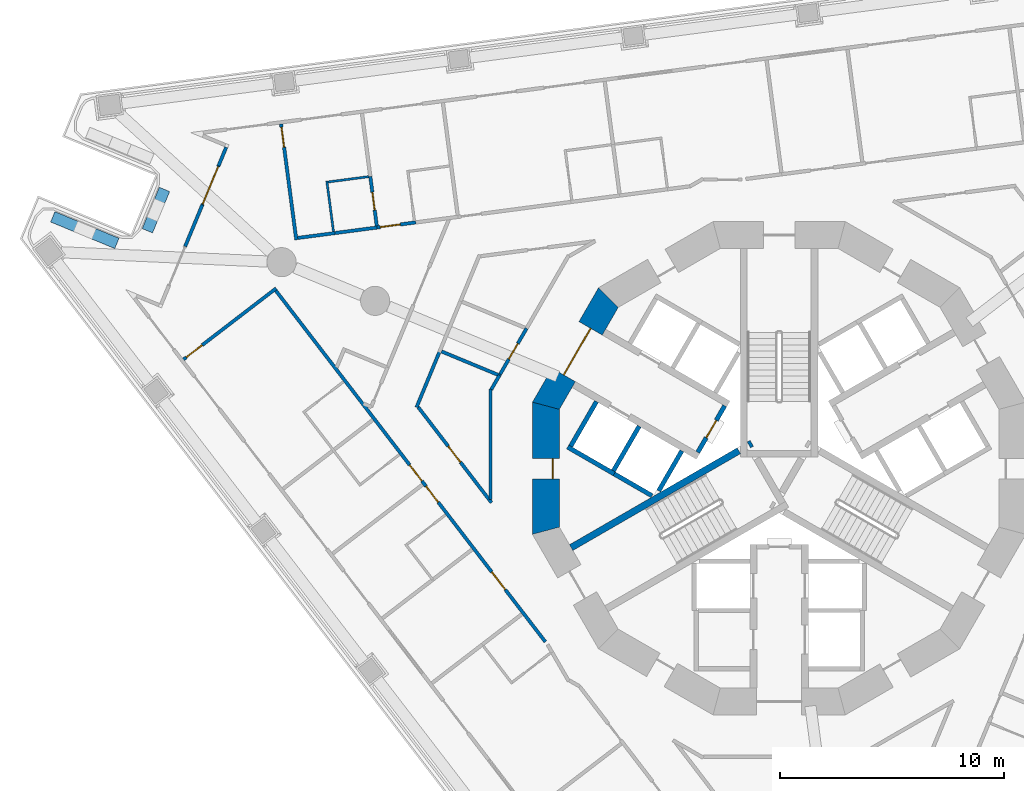
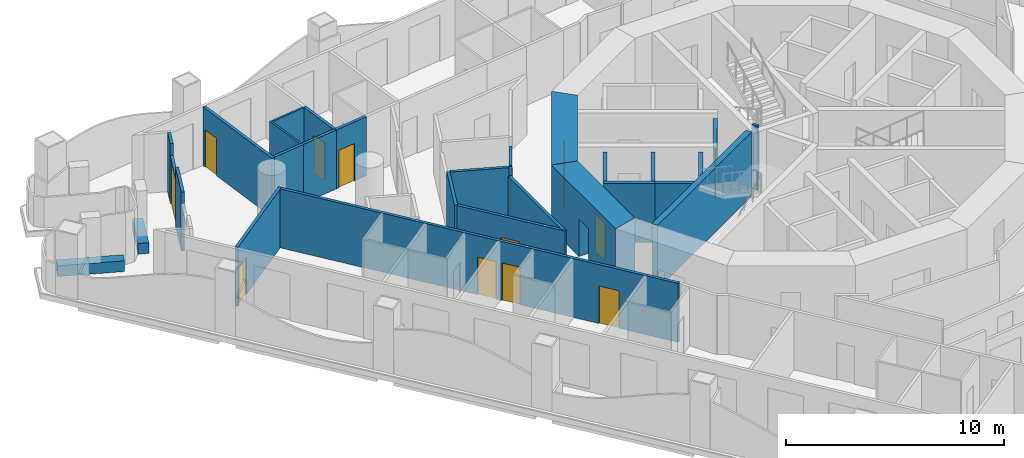
# One storey, part 6 of 19: 30 walls, 13 doors, 13 openings.
"""IFC4 building model written with IfcOpenShell, lengths in metres."""

from ifc_helpers import new_model, si_unit, direction, frame, frame_2d, origin, place, context, subcontext, project, spatial, polyline, rectangle, outline, extrude, material, layer, layer_set, type_object, element, fill, save


model = new_model("IFC4")

# Units and contexts
model_context = context("Model", 3, precision=1e-05, world=origin(), true_north=direction((0.0, 1.0)))
body_context = subcontext(model_context, "Body", "Model", "MODEL_VIEW")
ifc_project = project(units=[si_unit("LENGTHUNIT", "METRE"), si_unit("AREAUNIT", "SQUARE_METRE"), si_unit("VOLUMEUNIT", "CUBIC_METRE"), si_unit("PLANEANGLEUNIT", "RADIAN"), si_unit("MASSUNIT", "GRAM", prefix="KILO")], contexts=[model_context])

# Site, building, storey
site_placement = place(None, origin())
site = spatial("IfcSite", under=ifc_project, at=site_placement, CompositionType="ELEMENT")
building_placement = place(site_placement, origin())
building = spatial("IfcBuilding", under=site, at=building_placement, Name="Trine Commons Tower", CompositionType="ELEMENT")
storey_placement = place(building_placement, frame((0.0, 0.0, 61.199951171875)))
storey = spatial("IfcBuildingStorey", under=building, at=storey_placement, Name="L14", CompositionType="ELEMENT", Elevation=61.199951171875)

# Wall
ifc_material_1 = material(Name="Aluminium-framed insulated wall panel", Category="aluminium")
ifc_layer_1 = layer(ifc_material_1, 0.14990234375)
ifc_layer_set_1 = layer_set([ifc_layer_1], Name="Aluminium-framed insulated wall panel")
wall_type_1 = type_object("IfcWallType", Name="Glazed frame wall 150, EI 60", PredefinedType="SOLIDWALL", material=ifc_layer_set_1)
wall_1_placement = place(storey_placement, frame((53.482177734375, 72.401611328125, 0.0), z_axis=(0.0, 0.0, 1.0), x_axis=(0.382664423091, 0.923887406181, 0.0)))
element("IfcWall", 1, at=wall_1_placement, inside=storey, type_object=wall_type_1, Name="Glazed frame wall P1.3", PredefinedType="SOLIDWALL", context=body_context, shape_type="SweptSolid", body=[
    extrude(outline(polyline([(0.0, -0.074951171875), (2.0, -0.074951171875), (2.0, 0.074951171875), (0.0, 0.074951171875), (0.0, -0.074951171875)])), origin(), (0.0, 0.0, 1.0), 3.300048828125),
])

# Wall, opening, door
wall_2_placement = place(storey_placement, frame((54.24755859375, 74.24951171875, 0.0), z_axis=(0.0, 0.0, 1.0), x_axis=(0.382661988648, 0.923888414498, 0.0)))
wall_2 = element("IfcWall", 2, at=wall_2_placement, inside=storey, type_object=wall_type_1, Name="Glazed frame wall P1.4", PredefinedType="SOLIDWALL", context=body_context, shape_type="SweptSolid", body=[
    extrude(outline(polyline([(0.0, -0.074951171875), (1.89990234375, -0.074951171875), (1.89990234375, 0.074951171875), (0.0, 0.074951171875), (0.0, -0.074951171875)])), origin(), (0.0, 0.0, 1.0), 2.650146484375),
])
opening_1_placement = place(wall_2_placement, frame((0.050048828125, 0.0, 0.0)))
opening_1 = element("IfcOpeningElement", 3, at=opening_1_placement, cuts=wall_2, Name="Opening BD-2P1-02", PredefinedType="OPENING", context=body_context, shape_type="SweptSolid", body=[
    extrude(rectangle(XDim=1.800048828125, YDim=2.60009765625, at=frame_2d((0.89990234375, 1.300048828125))), frame((0.0, 0.0849609375, 0.0), z_axis=(0.0, -1.0, 0.0), x_axis=(1.0, 0.0, 0.0)), (0.0, 0.0, 1.0), 0.169921875),
])
ifc_material_2 = material(Name="Anodised aluminium frame with double glazing", Category="aluminium")
door_type_1 = type_object("IfcDoorType", Name="Sliding loggia door 1800x2600", OperationType="SLIDING_TO_LEFT", PredefinedType="DOOR", material=ifc_material_2)
door_1_placement = place(opening_1_placement, origin())
door_1 = element("IfcDoor", 4, at=door_1_placement, inside=storey, type_object=door_type_1, Name="Loggia door P1 2", OperationType="SLIDING_TO_LEFT", OverallHeight=2.60009765625, OverallWidth=1.800048828125, PredefinedType="DOOR", context=body_context, shape_type="SweptSolid", body=[
    extrude(rectangle(XDim=1.800048828125, YDim=2.60009765625, at=frame_2d((0.89990234375, 1.300048828125))), frame((0.0, 0.02490234375, 0.0), z_axis=(0.0, -1.0, 0.0), x_axis=(1.0, 0.0, 0.0)), (0.0, 0.0, 1.0), 0.050048828125),
])
fill(opening_1, door_1)

# Wall
wall_3_placement = place(storey_placement, frame((54.974609375, 76.0048828125, 0.0), z_axis=(0.0, 0.0, 1.0), x_axis=(0.382811769845, 0.923826362943, 0.0)))
element("IfcWall", 5, at=wall_3_placement, inside=storey, type_object=wall_type_1, Name="Glazed frame wall P1.5", PredefinedType="SOLIDWALL", context=body_context, shape_type="SweptSolid", body=[
    extrude(outline(polyline([(0.889892578125, 0.074951171875), (0.0, 0.074951171875), (0.0, -0.074951171875), (0.889892578125, -0.074951171875), (0.889892578125, 0.074951171875)])), origin(), (0.0, 0.0, 1.0), 3.300048828125),
])

# Wall, opening, door
ifc_material_3 = material(Name="Fire-rated gypsum shaft wall system")
ifc_layer_2 = layer(ifc_material_3, 0.199951171875)
ifc_layer_set_2 = layer_set([ifc_layer_2], Name="Fire-rated gypsum shaft wall system")
wall_type_2 = type_object("IfcWallType", Name="Lobby end wall 200 mm, EI 120", PredefinedType="PARTITIONING", material=ifc_layer_set_2)
wall_4_placement = place(storey_placement, frame((77.569091796875, 65.2890625, 0.0), z_axis=(0.0, 0.0, 1.0), x_axis=(-0.50012165622, -0.865955154139, 0.0)))
wall_4 = element("IfcWall", 6, at=wall_4_placement, inside=storey, type_object=wall_type_2, Name="Lobby end wall L14", PredefinedType="PARTITIONING", context=body_context, shape_type="SweptSolid", body=[
    extrude(rectangle(XDim=2.39990234375, YDim=0.199951171875, at=frame_2d((1.199951171875, 0.0))), origin(), (0.0, 0.0, 1.0), 3.300048828125),
])
opening_2_placement = place(wall_4_placement, frame((0.749755859375, 0.0, 0.0)))
opening_2 = element("IfcOpeningElement", 7, at=opening_2_placement, cuts=wall_4, Name="Opening K05.07", PredefinedType="OPENING", context=body_context, shape_type="SweptSolid", body=[
    extrude(rectangle(XDim=0.89990234375, YDim=2.10009765625, at=frame_2d((0.449951171875, 1.050048828125))), frame((0.0, 0.10986328125, 0.0), z_axis=(0.0, -1.0, 0.0), x_axis=(1.0, 0.0, 0.0)), (0.0, 0.0, 1.0), 0.219970703125),
])
ifc_material_4 = material(Name="Steel door leaf, fire-rated", Category="steel")
door_type_2 = type_object("IfcDoorType", Name="Riser access door, single leaf 900 x 2100, FD60", OperationType="SINGLE_SWING_LEFT", PredefinedType="DOOR", material=ifc_material_4)
door_2_placement = place(opening_2_placement, frame((0.89990234375, 0.0, 0.0), z_axis=(0.0, 0.0, 1.0), x_axis=(-1.0, 0.0, 0.0)))
door_2 = element("IfcDoor", 8, at=door_2_placement, inside=storey, type_object=door_type_2, Name="Riser door, Mechanical riser L14", OperationType="SINGLE_SWING_RIGHT", OverallHeight=2.10009765625, OverallWidth=0.89990234375, PredefinedType="DOOR", context=body_context, shape_type="SweptSolid", body=[
    extrude(rectangle(XDim=0.89990234375, YDim=2.10009765625, at=frame_2d((0.449951171875, 1.050048828125))), frame((0.0, 0.02490234375, 0.0), z_axis=(0.0, -1.0, 0.0), x_axis=(1.0, 0.0, 0.0)), (0.0, 0.0, 1.0), 0.050048828125),
])
fill(opening_2, door_2)

# Walls
ifc_material_5 = material(Name="Planter trough, precast concrete C40/50", Category="concrete")
ifc_layer_3 = layer(ifc_material_5, 0.5)
ifc_layer_set_3 = layer_set([ifc_layer_3], Name="Planter trough, precast concrete C40/50")
wall_type_3 = type_object("IfcWallType", Name="Planter trough 500x600", PredefinedType="PARAPET", material=ifc_layer_set_3)
wall_5_placement = place(storey_placement, frame((47.5732421875, 73.723388671875, 0.0), z_axis=(0.0, 0.0, 1.0), x_axis=(0.923883411188, -0.382674068277, 0.0)))
element("IfcWall", 9, at=wall_5_placement, inside=storey, type_object=wall_type_3, Name="Planter 1", PredefinedType="PARAPET", context=body_context, shape_type="SweptSolid", body=[
    extrude(rectangle(XDim=3.099853515625, YDim=0.5, at=frame_2d((1.5498046875, 0.0))), origin(), (0.0, 0.0, 1.0), 0.60009765625),
])
wall_6_placement = place(storey_placement, frame((51.796142578125, 73.10009765625, 0.0), z_axis=(0.0, 0.0, 1.0), x_axis=(0.382603377961, 0.923912688068, 0.0)))
element("IfcWall", 10, at=wall_6_placement, inside=storey, type_object=wall_type_3, Name="Planter 2", PredefinedType="PARAPET", context=body_context, shape_type="SweptSolid", body=[
    extrude(rectangle(XDim=1.999755859375, YDim=0.5, at=frame_2d((1.0, 0.0))), origin(), (0.0, 0.0, 1.0), 0.60009765625),
])

# Wall, opening, door
ifc_material_6 = material(Name="Concrete C80/95", Category="concrete")
ifc_layer_4 = layer(ifc_material_6, 1.199951171875)
ifc_layer_set_4 = layer_set([ifc_layer_4], Name="Concrete C80/95")
wall_type_4 = type_object("IfcWallType", Name="RC shear wall 1200 mm, C80/95", PredefinedType="SHEAR", material=ifc_layer_set_4)
wall_7_placement = place(storey_placement, frame((72.45849609375, 70.260986328125, 0.0), z_axis=(0.0, 0.0, 1.0), x_axis=(-0.499979111662, -0.866037463336, 0.0)))
wall_7 = element("IfcWall", 11, at=wall_7_placement, inside=storey, type_object=wall_type_4, Name="Core wall CWB-06 L14", PredefinedType="SHEAR", context=body_context, shape_type="SweptSolid", body=[
    extrude(outline(polyline([(0.0, -0.60009765625), (5.901123046875, -0.60009765625), (5.57958984375, 0.60009765625), (0.321533203125, 0.60009765625), (0.0, -0.60009765625)])), origin(), (0.0, 0.0, 1.0), 3.60009765625),
])
opening_3_placement = place(wall_7_placement, frame((1.75048828125, 0.0, 0.0)))
opening_3 = element("IfcOpeningElement", 12, at=opening_3_placement, cuts=wall_7, Name="Opening K05.06", PredefinedType="OPENING", context=body_context, shape_type="SweptSolid", body=[
    extrude(rectangle(XDim=2.39990234375, YDim=2.10009765625, at=frame_2d((1.199951171875, 1.050048828125))), frame((0.0, 0.60986328125, 0.0), z_axis=(0.0, -1.0, 0.0), x_axis=(1.0, 0.0, 0.0)), (0.0, 0.0, 1.0), 1.219970703125),
])
ifc_material_7 = material(Name="Steel door leaves, fire-rated", Category="steel")
door_type_3 = type_object("IfcDoorType", Name="Lobby door, double leaf 2400 x 2100, FD60", OperationType="DOUBLE_DOOR_SINGLE_SWING", PredefinedType="DOOR", material=ifc_material_7)
door_3_placement = place(opening_3_placement, origin())
door_3 = element("IfcDoor", 13, at=door_3_placement, inside=storey, type_object=door_type_3, Name="Lobby door, Passenger lift lobby B L14", OperationType="DOUBLE_DOOR_SINGLE_SWING", OverallHeight=2.10009765625, OverallWidth=2.39990234375, PredefinedType="DOOR", context=body_context, shape_type="SweptSolid", body=[
    extrude(rectangle(XDim=2.39990234375, YDim=2.10009765625, at=frame_2d((1.199951171875, 1.050048828125))), frame((0.0, 0.02490234375, 0.0), z_axis=(0.0, -1.0, 0.0), x_axis=(1.0, 0.0, 0.0)), (0.0, 0.0, 1.0), 0.050048828125),
])
fill(opening_3, door_3)

wall_8_placement = place(storey_placement, frame((69.58837890625, 65.450439453125, 0.0), z_axis=(0.0, 0.0, 1.0), x_axis=(0.0, -1.0, 0.0)))
wall_8 = element("IfcWall", 14, at=wall_8_placement, inside=storey, type_object=wall_type_4, Name="Core wall CWB-07 L14", PredefinedType="SHEAR", context=body_context, shape_type="SweptSolid", body=[
    extrude(outline(polyline([(0.0, -0.60009765625), (5.90087890625, -0.60009765625), (5.57958984375, 0.60009765625), (0.321533203125, 0.60009765625), (0.0, -0.60009765625)])), origin(), (0.0, 0.0, 1.0), 3.60009765625),
])
opening_4_placement = place(wall_8_placement, frame((2.525390625, 0.0, 0.0)))
opening_4 = element("IfcOpeningElement", 15, at=opening_4_placement, cuts=wall_8, Name="Opening K05.13", PredefinedType="OPENING", context=body_context, shape_type="SweptSolid", body=[
    extrude(rectangle(XDim=0.89990234375, YDim=2.10009765625, at=frame_2d((0.449951171875, 1.050048828125))), frame((0.0, 0.60986328125, 0.0), z_axis=(0.0, -1.0, 0.0), x_axis=(1.0, 0.0, 0.0)), (0.0, 0.0, 1.0), 1.219970703125),
])
door_type_4 = type_object("IfcDoorType", Name="Core room door, single leaf 900 x 2100, FD30S", OperationType="SINGLE_SWING_LEFT", PredefinedType="DOOR", material=ifc_material_4)
door_4_placement = place(opening_4_placement, origin())
door_4 = element("IfcDoor", 16, at=door_4_placement, inside=storey, type_object=door_type_4, Name="Door to Pantry L14", OperationType="SINGLE_SWING_RIGHT", OverallHeight=2.10009765625, OverallWidth=0.89990234375, PredefinedType="DOOR", context=body_context, shape_type="SweptSolid", body=[
    extrude(rectangle(XDim=0.89990234375, YDim=2.10009765625, at=frame_2d((0.449951171875, 1.050048828125))), frame((0.0, 0.3251953125, 0.0), z_axis=(0.0, -1.0, 0.0), x_axis=(1.0, 0.0, 0.0)), (0.0, 0.0, 1.0), 0.050048828125),
])
fill(opening_4, door_4)

# Walls
ifc_layer_5 = layer(ifc_material_6, 0.300048828125)
ifc_layer_set_5 = layer_set([ifc_layer_5], Name="Concrete C80/95")
wall_type_5 = type_object("IfcWallType", Name="RC shear wall 300 mm, C80/95", PredefinedType="SHEAR", material=ifc_layer_set_5)
wall_9_placement = place(storey_placement, frame((78.199951171875, 63.280029296875, 0.0), z_axis=(0.0, 0.0, 1.0), x_axis=(-0.865965399159, -0.500103916661, 0.0)))
element("IfcWall", 17, at=wall_9_placement, inside=storey, type_object=wall_type_5, Name="Core cross wall SWA-07 L14", PredefinedType="SHEAR", context=body_context, shape_type="SweptSolid", body=[
    extrude(rectangle(XDim=8.642333984375, YDim=0.300048828125, at=frame_2d((4.3212890625, 0.0))), origin(), (0.0, 0.0, 1.0), 3.60009765625),
])
wall_10_placement = place(storey_placement, frame((78.779052734375, 63.614013671875, 0.0), z_axis=(0.0, 0.0, 1.0), x_axis=(-0.867737973955, -0.497021939713, 0.0)))
element("IfcWall", 18, at=wall_10_placement, inside=storey, type_object=wall_type_5, Name="Core cross wall SWA-09 L14", PredefinedType="SHEAR", context=body_context, shape_type="SweptSolid", body=[
    extrude(rectangle(XDim=0.14892578125, YDim=0.300048828125, at=frame_2d((0.074462890625, 0.0))), origin(), (0.0, 0.0, 1.0), 3.60009765625),
])
ifc_layer_6 = layer(ifc_material_3, 0.199951171875)
ifc_layer_set_6 = layer_set([ifc_layer_6], Name="Fire-rated gypsum shaft wall system")
wall_type_6 = type_object("IfcWallType", Name="Shaft wall 200 mm, EI 120", PredefinedType="PARTITIONING", material=ifc_layer_set_6)
wall_11_placement = place(storey_placement, frame((71.844970703125, 65.47607421875, 0.0), z_axis=(0.0, 0.0, 1.0), x_axis=(-0.500136062276, -0.86594683394, 0.0)))
element("IfcWall", 19, at=wall_11_placement, inside=storey, type_object=wall_type_6, Name="Shaft wall L14", PredefinedType="PARTITIONING", context=body_context, shape_type="SweptSolid", body=[
    extrude(rectangle(XDim=2.299072265625, YDim=0.199951171875, at=frame_2d((1.1494140625, 0.0))), origin(), (0.0, 0.0, 1.0), 3.300048828125),
])
wall_12_placement = place(storey_placement, frame((72.637939453125, 62.248046875, 0.0), z_axis=(0.0, 0.0, 1.0), x_axis=(-0.866177122335, 0.499737123639, 0.0)))
element("IfcWall", 20, at=wall_12_placement, inside=storey, type_object=wall_type_6, Name="Shaft wall L14", PredefinedType="PARTITIONING", context=body_context, shape_type="SweptSolid", body=[
    extrude(rectangle(XDim=2.401123046875, YDim=0.199951171875, at=frame_2d((1.20068359375, 0.0))), origin(), (0.0, 0.0, 1.0), 3.300048828125),
])
wall_13_placement = place(storey_placement, frame((73.7509765625, 64.3759765625, 0.0), z_axis=(0.0, 0.0, 1.0), x_axis=(-0.500136062276, -0.86594683394, 0.0)))
element("IfcWall", 21, at=wall_13_placement, inside=storey, type_object=wall_type_6, Name="Shaft wall L14", PredefinedType="PARTITIONING", context=body_context, shape_type="SweptSolid", body=[
    extrude(rectangle(XDim=2.299072265625, YDim=0.199951171875, at=frame_2d((1.1494140625, 0.0))), origin(), (0.0, 0.0, 1.0), 3.300048828125),
])
wall_14_placement = place(storey_placement, frame((74.324951171875, 61.27294921875, 0.0), z_axis=(0.0, 0.0, 1.0), x_axis=(-0.865780634835, 0.500423712812, 0.0)))
element("IfcWall", 22, at=wall_14_placement, inside=storey, type_object=wall_type_6, Name="Shaft wall L14", PredefinedType="PARTITIONING", context=body_context, shape_type="SweptSolid", body=[
    extrude(rectangle(XDim=1.948486328125, YDim=0.199951171875, at=frame_2d((0.97412109375, 0.0))), origin(), (0.0, 0.0, 1.0), 3.300048828125),
])
wall_15_placement = place(storey_placement, frame((75.656005859375, 63.27587890625, 0.0), z_axis=(0.0, 0.0, 1.0), x_axis=(-0.500271688072, -0.86586848777, 0.0)))
element("IfcWall", 23, at=wall_15_placement, inside=storey, type_object=wall_type_6, Name="Shaft wall L14", PredefinedType="PARTITIONING", context=body_context, shape_type="SweptSolid", body=[
    extrude(rectangle(XDim=2.064697265625, YDim=0.199951171875, at=frame_2d((1.0322265625, 0.0))), origin(), (0.0, 0.0, 1.0), 3.300048828125),
])

# Wall, opening, door
ifc_material_8 = material(Name="Gypsum plasterboard on steel stud", Category="steel")
ifc_layer_7 = layer(ifc_material_8, 0.14990234375)
ifc_layer_set_7 = layer_set([ifc_layer_7], Name="Gypsum plasterboard on steel stud")
wall_type_7 = type_object("IfcWallType", Name="Unit and corridor wall 150 mm, EI 60", PredefinedType="PARTITIONING", material=ifc_layer_set_7)
wall_16_placement = place(storey_placement, frame((53.41162109375, 67.3583984375, 0.0), z_axis=(0.0, 0.0, 1.0), x_axis=(0.793382437727, 0.608723506616, 0.0)))
wall_16 = element("IfcWall", 24, at=wall_16_placement, inside=storey, type_object=wall_type_7, Name="Partition 001", PredefinedType="PARTITIONING", context=body_context, shape_type="SweptSolid", body=[
    extrude(rectangle(XDim=5.213134765625, YDim=0.14990234375, at=frame_2d((2.6064453125, 0.0))), origin(), (0.0, 0.0, 1.0), 3.300048828125),
])
opening_5_placement = place(wall_16_placement, frame((0.14990234375, 0.0, 0.0)))
opening_5 = element("IfcOpeningElement", 25, at=opening_5_placement, cuts=wall_16, Name="Opening D-2B30", PredefinedType="OPENING", context=body_context, shape_type="SweptSolid", body=[
    extrude(rectangle(XDim=0.89990234375, YDim=2.10009765625, at=frame_2d((0.449951171875, 1.050048828125))), frame((0.0, 0.0849609375, 0.0), z_axis=(0.0, -1.0, 0.0), x_axis=(1.0, 0.0, 0.0)), (0.0, 0.0, 1.0), 0.169921875),
])
ifc_material_9 = material(Name="Timber fire door set", Category="wood")
door_type_5 = type_object("IfcDoorType", Name="Bedroom door 900 x 2100, FD30S", OperationType="NOTDEFINED", PredefinedType="DOOR", material=ifc_material_9)
door_5_placement = place(opening_5_placement, frame((0.89990234375, 0.0, 0.0), z_axis=(0.0, 0.0, 1.0), x_axis=(-1.0, 0.0, 0.0)))
door_5 = element("IfcDoor", 26, at=door_5_placement, inside=storey, type_object=door_type_5, Name="Door D-2B30", OperationType="SINGLE_SWING_RIGHT", OverallHeight=2.10009765625, OverallWidth=0.89990234375, PredefinedType="DOOR", context=body_context, shape_type="SweptSolid", body=[
    extrude(rectangle(XDim=0.89990234375, YDim=2.10009765625, at=frame_2d((0.449951171875, 1.050048828125))), frame((0.0, 0.02490234375, 0.0), z_axis=(0.0, -1.0, 0.0), x_axis=(1.0, 0.0, 0.0)), (0.0, 0.0, 1.0), 0.050048828125),
])
fill(opening_5, door_5)

# Wall, openings, doors
wall_17_placement = place(storey_placement, frame((57.53369140625, 70.426513671875, 0.0), z_axis=(0.0, 0.0, 1.0), x_axis=(0.608794371867, -0.793328061261, 0.0)))
wall_17 = element("IfcWall", 27, at=wall_17_placement, inside=storey, type_object=wall_type_7, Name="Partition 002", PredefinedType="PARTITIONING", context=body_context, shape_type="SweptSolid", body=[
    extrude(rectangle(XDim=19.75927734375, YDim=0.14990234375, at=frame_2d((9.879638671875, 0.0))), origin(), (0.0, 0.0, 1.0), 3.300048828125),
])
opening_6_placement = place(wall_17_placement, frame((15.8212890625, 0.0, 0.0)))
opening_6 = element("IfcOpeningElement", 28, at=opening_6_placement, cuts=wall_17, Name="Opening D-2B27", PredefinedType="OPENING", context=body_context, shape_type="SweptSolid", body=[
    extrude(rectangle(XDim=1.0, YDim=2.10009765625, at=frame_2d((0.5, 1.050048828125))), frame((0.0, 0.0849609375, 0.0), z_axis=(0.0, -1.0, 0.0), x_axis=(1.0, 0.0, 0.0)), (0.0, 0.0, 1.0), 0.169921875),
])
opening_7_placement = place(wall_17_placement, frame((11.00634765625, 0.0, 0.0)))
opening_7 = element("IfcOpeningElement", 29, at=opening_7_placement, cuts=wall_17, Name="Opening D-2B28", PredefinedType="OPENING", context=body_context, shape_type="SweptSolid", body=[
    extrude(rectangle(XDim=0.89990234375, YDim=2.10009765625, at=frame_2d((0.449951171875, 1.050048828125))), frame((0.0, 0.0849609375, 0.0), z_axis=(0.0, -1.0, 0.0), x_axis=(1.0, 0.0, 0.0)), (0.0, 0.0, 1.0), 0.169921875),
])
opening_8_placement = place(wall_17_placement, frame((9.806396484375, 0.0, 0.0)))
opening_8 = element("IfcOpeningElement", 30, at=opening_8_placement, cuts=wall_17, Name="Opening D-2B29", PredefinedType="OPENING", context=body_context, shape_type="SweptSolid", body=[
    extrude(rectangle(XDim=0.89990234375, YDim=2.10009765625, at=frame_2d((0.449951171875, 1.050048828125))), frame((0.0, 0.0849609375, 0.0), z_axis=(0.0, -1.0, 0.0), x_axis=(1.0, 0.0, 0.0)), (0.0, 0.0, 1.0), 0.169921875),
])
ifc_material_10 = material(Name="Painted timber", Category="wood")
door_type_6 = type_object("IfcDoorType", Name="Amenity room door 1000 x 2100, NOT RATED", OperationType="NOTDEFINED", PredefinedType="DOOR", material=ifc_material_10)
door_6_placement = place(opening_6_placement, frame((1.0, 0.0, 0.0), z_axis=(0.0, 0.0, 1.0), x_axis=(-1.0, 0.0, 0.0)))
door_6 = element("IfcDoor", 31, at=door_6_placement, inside=storey, type_object=door_type_6, Name="Door D-2B27", OperationType="SINGLE_SWING_LEFT", OverallHeight=2.10009765625, OverallWidth=1.0, PredefinedType="DOOR", context=body_context, shape_type="SweptSolid", body=[
    extrude(rectangle(XDim=1.0, YDim=2.10009765625, at=frame_2d((0.5, 1.050048828125))), frame((0.0, 0.02490234375, 0.0), z_axis=(0.0, -1.0, 0.0), x_axis=(1.0, 0.0, 0.0)), (0.0, 0.0, 1.0), 0.050048828125),
])
fill(opening_6, door_6)
door_7_placement = place(opening_7_placement, frame((0.89990234375, 0.0, 0.0), z_axis=(0.0, 0.0, 1.0), x_axis=(-1.0, 0.0, 0.0)))
door_7 = element("IfcDoor", 32, at=door_7_placement, inside=storey, type_object=door_type_5, Name="Door D-2B28", OperationType="SINGLE_SWING_LEFT", OverallHeight=2.10009765625, OverallWidth=0.89990234375, PredefinedType="DOOR", context=body_context, shape_type="SweptSolid", body=[
    extrude(rectangle(XDim=0.89990234375, YDim=2.10009765625, at=frame_2d((0.449951171875, 1.050048828125))), frame((0.0, 0.02490234375, 0.0), z_axis=(0.0, -1.0, 0.0), x_axis=(1.0, 0.0, 0.0)), (0.0, 0.0, 1.0), 0.050048828125),
])
fill(opening_7, door_7)
door_8_placement = place(opening_8_placement, frame((0.89990234375, 0.0, 0.0), z_axis=(0.0, 0.0, 1.0), x_axis=(-1.0, 0.0, 0.0)))
door_8 = element("IfcDoor", 33, at=door_8_placement, inside=storey, type_object=door_type_5, Name="Door D-2B29", OperationType="SINGLE_SWING_LEFT", OverallHeight=2.10009765625, OverallWidth=0.89990234375, PredefinedType="DOOR", context=body_context, shape_type="SweptSolid", body=[
    extrude(rectangle(XDim=0.89990234375, YDim=2.10009765625, at=frame_2d((0.449951171875, 1.050048828125))), frame((0.0, 0.02490234375, 0.0), z_axis=(0.0, -1.0, 0.0), x_axis=(1.0, 0.0, 0.0)), (0.0, 0.0, 1.0), 0.050048828125),
])
fill(opening_8, door_8)

# Wall, opening, door
wall_18_placement = place(storey_placement, frame((57.76416015625, 77.8662109375, 0.0), z_axis=(0.0, 0.0, 1.0), x_axis=(0.130538083061, -0.991443295842, 0.0)))
wall_18 = element("IfcWall", 34, at=wall_18_placement, inside=storey, type_object=wall_type_7, Name="Partition 003", PredefinedType="PARTITIONING", context=body_context, shape_type="SweptSolid", body=[
    extrude(rectangle(XDim=5.21435546875, YDim=0.14990234375, at=frame_2d((2.607177734375, 0.0))), origin(), (0.0, 0.0, 1.0), 3.300048828125),
])
opening_9_placement = place(wall_18_placement, frame((0.14990234375, 0.0, 0.0)))
opening_9 = element("IfcOpeningElement", 35, at=opening_9_placement, cuts=wall_18, Name="Opening D-2B07", PredefinedType="OPENING", context=body_context, shape_type="SweptSolid", body=[
    extrude(rectangle(XDim=0.89990234375, YDim=2.10009765625, at=frame_2d((0.449951171875, 1.050048828125))), frame((0.0, 0.0849609375, 0.0), z_axis=(0.0, -1.0, 0.0), x_axis=(1.0, 0.0, 0.0)), (0.0, 0.0, 1.0), 0.169921875),
])
door_9_placement = place(opening_9_placement, origin())
door_9 = element("IfcDoor", 36, at=door_9_placement, inside=storey, type_object=door_type_5, Name="Door D-2B07", OperationType="SINGLE_SWING_LEFT", OverallHeight=2.10009765625, OverallWidth=0.89990234375, PredefinedType="DOOR", context=body_context, shape_type="SweptSolid", body=[
    extrude(rectangle(XDim=0.89990234375, YDim=2.10009765625, at=frame_2d((0.449951171875, 1.050048828125))), frame((0.0, 0.02490234375, 0.0), z_axis=(0.0, -1.0, 0.0), x_axis=(1.0, 0.0, 0.0)), (0.0, 0.0, 1.0), 0.050048828125),
])
fill(opening_9, door_9)

# Walls
wall_19_placement = place(storey_placement, frame((58.509521484375, 72.78076171875, 0.0), z_axis=(0.0, 0.0, 1.0), x_axis=(0.99149595725, 0.13013749174, 0.0)))
element("IfcWall", 37, at=wall_19_placement, inside=storey, type_object=wall_type_7, Name="Partition 005", PredefinedType="PARTITIONING", context=body_context, shape_type="SweptSolid", body=[
    extrude(rectangle(XDim=1.67333984375, YDim=0.14990234375, at=frame_2d((0.836669921875, 0.0))), origin(), (0.0, 0.0, 1.0), 3.300048828125),
])
wall_20_placement = place(storey_placement, frame((60.111083984375, 72.990966796875, 0.0), z_axis=(0.0, 0.0, 1.0), x_axis=(0.991437274098, 0.130583810365, 0.0)))
element("IfcWall", 38, at=wall_20_placement, inside=storey, type_object=wall_type_7, Name="Partition 012", PredefinedType="PARTITIONING", context=body_context, shape_type="SweptSolid", body=[
    extrude(rectangle(XDim=1.953857421875, YDim=0.14990234375, at=frame_2d((0.97705078125, 0.0))), origin(), (0.0, 0.0, 1.0), 3.300048828125),
])

# Wall, opening, door
wall_21_placement = place(storey_placement, frame((61.748046875, 75.527099609375, 0.0), z_axis=(0.0, 0.0, 1.0), x_axis=(0.130309803154, -0.991473325512, 0.0)))
wall_21 = element("IfcWall", 39, at=wall_21_placement, inside=storey, type_object=wall_type_7, Name="Partition 018", PredefinedType="PARTITIONING", context=body_context, shape_type="SweptSolid", body=[
    extrude(rectangle(XDim=2.225830078125, YDim=0.14990234375, at=frame_2d((1.11279296875, 0.0))), origin(), (0.0, 0.0, 1.0), 3.300048828125),
])
opening_10_placement = place(wall_21_placement, frame((0.712890625, 0.0, 0.0)))
opening_10 = element("IfcOpeningElement", 40, at=opening_10_placement, cuts=wall_21, Name="Opening D-2B38", PredefinedType="OPENING", context=body_context, shape_type="SweptSolid", body=[
    extrude(rectangle(XDim=0.800048828125, YDim=2.10009765625, at=frame_2d((0.39990234375, 1.050048828125))), frame((0.0, 0.0849609375, 0.0), z_axis=(0.0, -1.0, 0.0), x_axis=(1.0, 0.0, 0.0)), (0.0, 0.0, 1.0), 0.169921875),
])
door_type_7 = type_object("IfcDoorType", Name="Internal door 800 x 2100, NOT RATED", OperationType="NOTDEFINED", PredefinedType="DOOR", material=ifc_material_10)
door_10_placement = place(opening_10_placement, origin())
door_10 = element("IfcDoor", 41, at=door_10_placement, inside=storey, type_object=door_type_7, Name="Door D-2B38", OperationType="SINGLE_SWING_LEFT", OverallHeight=2.10009765625, OverallWidth=0.800048828125, PredefinedType="DOOR", context=body_context, shape_type="SweptSolid", body=[
    extrude(rectangle(XDim=0.800048828125, YDim=2.10009765625, at=frame_2d((0.39990234375, 1.050048828125))), frame((0.0, 0.02490234375, 0.0), z_axis=(0.0, -1.0, 0.0), x_axis=(1.0, 0.0, 0.0)), (0.0, 0.0, 1.0), 0.050048828125),
])
fill(opening_10, door_10)

wall_22_placement = place(storey_placement, frame((62.048095703125, 73.24609375, 0.0), z_axis=(0.0, 0.0, 1.0), x_axis=(0.991412396829, 0.130772548398, 0.0)))
wall_22 = element("IfcWall", 42, at=wall_22_placement, inside=storey, type_object=wall_type_7, Name="Partition 020", PredefinedType="PARTITIONING", context=body_context, shape_type="SweptSolid", body=[
    extrude(rectangle(XDim=1.747314453125, YDim=0.14990234375, at=frame_2d((0.87353515625, 0.0))), origin(), (0.0, 0.0, 1.0), 3.300048828125),
])
opening_11_placement = place(wall_22_placement, frame((0.14990234375, 0.0, 0.0)))
opening_11 = element("IfcOpeningElement", 43, at=opening_11_placement, cuts=wall_22, Name="Opening D-2B08", PredefinedType="OPENING", context=body_context, shape_type="SweptSolid", body=[
    extrude(rectangle(XDim=0.89990234375, YDim=2.10009765625, at=frame_2d((0.449951171875, 1.050048828125))), frame((0.0, 0.0849609375, 0.0), z_axis=(0.0, -1.0, 0.0), x_axis=(1.0, 0.0, 0.0)), (0.0, 0.0, 1.0), 0.169921875),
])
door_11_placement = place(opening_11_placement, origin())
door_11 = element("IfcDoor", 44, at=door_11_placement, inside=storey, type_object=door_type_5, Name="Door D-2B08", OperationType="SINGLE_SWING_LEFT", OverallHeight=2.10009765625, OverallWidth=0.89990234375, PredefinedType="DOOR", context=body_context, shape_type="SweptSolid", body=[
    extrude(rectangle(XDim=0.89990234375, YDim=2.10009765625, at=frame_2d((0.449951171875, 1.050048828125))), frame((0.0, 0.02490234375, 0.0), z_axis=(0.0, -1.0, 0.0), x_axis=(1.0, 0.0, 0.0)), (0.0, 0.0, 1.0), 0.050048828125),
])
fill(opening_11, door_11)

# Wall
wall_23_placement = place(storey_placement, frame((63.811279296875, 65.2197265625, 0.0), z_axis=(0.0, 0.0, 1.0), x_axis=(0.382485754441, 0.923961388614, 0.0)))
element("IfcWall", 45, at=wall_23_placement, inside=storey, type_object=wall_type_7, Name="Partition 028", PredefinedType="PARTITIONING", context=body_context, shape_type="SweptSolid", body=[
    extrude(rectangle(XDim=2.736328125, YDim=0.14990234375, at=frame_2d((1.3681640625, 0.0))), origin(), (0.0, 0.0, 1.0), 3.300048828125),
])

# Wall, opening, door
wall_24_placement = place(storey_placement, frame((63.8857421875, 65.2294921875, 0.0), z_axis=(0.0, 0.0, 1.0), x_axis=(0.608696503356, -0.793403155276, 0.0)))
wall_24 = element("IfcWall", 46, at=wall_24_placement, inside=storey, type_object=wall_type_7, Name="Partition 029", PredefinedType="PARTITIONING", context=body_context, shape_type="SweptSolid", body=[
    extrude(rectangle(XDim=5.376953125, YDim=0.14990234375, at=frame_2d((2.6884765625, 0.0))), origin(), (0.0, 0.0, 1.0), 3.300048828125),
])
opening_12_placement = place(wall_24_placement, frame((2.200927734375, 0.0, 0.0)))
opening_12 = element("IfcOpeningElement", 47, at=opening_12_placement, cuts=wall_24, Name="Opening D-2B32", PredefinedType="OPENING", context=body_context, shape_type="SweptSolid", body=[
    extrude(rectangle(XDim=0.89990234375, YDim=2.10009765625, at=frame_2d((0.449951171875, 1.050048828125))), frame((0.0, 0.0849609375, 0.0), z_axis=(0.0, -1.0, 0.0), x_axis=(1.0, 0.0, 0.0)), (0.0, 0.0, 1.0), 0.169921875),
])
door_type_8 = type_object("IfcDoorType", Name="Service door 900 x 2100, FD30S", OperationType="NOTDEFINED", PredefinedType="DOOR", material=ifc_material_9)
door_12_placement = place(opening_12_placement, origin())
door_12 = element("IfcDoor", 48, at=door_12_placement, inside=storey, type_object=door_type_8, Name="Door D-2B32", OperationType="SINGLE_SWING_LEFT", OverallHeight=2.10009765625, OverallWidth=0.89990234375, PredefinedType="DOOR", context=body_context, shape_type="SweptSolid", body=[
    extrude(rectangle(XDim=0.89990234375, YDim=2.10009765625, at=frame_2d((0.449951171875, 1.050048828125))), frame((0.0, 0.02490234375, 0.0), z_axis=(0.0, -1.0, 0.0), x_axis=(1.0, 0.0, 0.0)), (0.0, 0.0, 1.0), 0.050048828125),
])
fill(opening_12, door_12)

# Walls
wall_25_placement = place(storey_placement, frame((64.92626953125, 67.71533203125, 0.0), z_axis=(0.0, 0.0, 1.0), x_axis=(0.923886418472, -0.382666807761, 0.0)))
element("IfcWall", 49, at=wall_25_placement, inside=storey, type_object=wall_type_7, Name="Partition 034", PredefinedType="PARTITIONING", context=body_context, shape_type="SweptSolid", body=[
    extrude(rectangle(XDim=2.874755859375, YDim=0.14990234375, at=frame_2d((1.4375, 0.0))), origin(), (0.0, 0.0, 1.0), 3.300048828125),
])
wall_26_placement = place(storey_placement, frame((67.113037109375, 61.093994140625, 0.0), z_axis=(0.0, 0.0, 1.0), x_axis=(0.0, 1.0, 0.0)))
element("IfcWall", 50, at=wall_26_placement, inside=storey, type_object=wall_type_7, Name="Partition 042", PredefinedType="PARTITIONING", context=body_context, shape_type="SweptSolid", body=[
    extrude(rectangle(XDim=4.93408203125, YDim=0.14990234375, at=frame_2d((2.467041015625, 0.0))), origin(), (0.0, 0.0, 1.0), 3.300048828125),
])
wall_27_placement = place(storey_placement, frame((67.150390625, 66.01806640625, 0.0), z_axis=(0.0, 0.0, 1.0), x_axis=(0.499858068882, 0.866107332248, 0.0)))
element("IfcWall", 51, at=wall_27_placement, inside=storey, type_object=wall_type_7, Name="Partition 043", PredefinedType="PARTITIONING", context=body_context, shape_type="SweptSolid", body=[
    extrude(rectangle(XDim=0.727294921875, YDim=0.14990234375, at=frame_2d((0.36376953125, 0.0))), origin(), (0.0, 0.0, 1.0), 3.300048828125),
])

# Wall, opening, door
wall_28_placement = place(storey_placement, frame((67.547607421875, 66.704833984375, 0.0), z_axis=(0.0, 0.0, 1.0), x_axis=(0.500075472253, 0.865981825474, 0.0)))
wall_28 = element("IfcWall", 52, at=wall_28_placement, inside=storey, type_object=wall_type_7, Name="Partition 044", PredefinedType="PARTITIONING", context=body_context, shape_type="SweptSolid", body=[
    extrude(rectangle(XDim=2.354736328125, YDim=0.14990234375, at=frame_2d((1.17724609375, 0.0))), origin(), (0.0, 0.0, 1.0), 2.75),
])
opening_13_placement = place(wall_28_placement, frame((0.775390625, 0.0, 0.0)))
opening_13 = element("IfcOpeningElement", 53, at=opening_13_placement, cuts=wall_28, Name="Opening D-2B36", PredefinedType="OPENING", context=body_context, shape_type="SweptSolid", body=[
    extrude(rectangle(XDim=0.800048828125, YDim=2.10009765625, at=frame_2d((0.39990234375, 1.050048828125))), frame((0.0, 0.0849609375, 0.0), z_axis=(0.0, -1.0, 0.0), x_axis=(1.0, 0.0, 0.0)), (0.0, 0.0, 1.0), 0.169921875),
])
door_type_9 = type_object("IfcDoorType", Name="Toilet door 800 x 2100, NOT RATED", OperationType="NOTDEFINED", PredefinedType="DOOR", material=ifc_material_10)
door_13_placement = place(opening_13_placement, origin())
door_13 = element("IfcDoor", 54, at=door_13_placement, inside=storey, type_object=door_type_9, Name="Door D-2B36", OperationType="SINGLE_SWING_LEFT", OverallHeight=2.10009765625, OverallWidth=0.800048828125, PredefinedType="DOOR", context=body_context, shape_type="SweptSolid", body=[
    extrude(rectangle(XDim=0.800048828125, YDim=2.10009765625, at=frame_2d((0.39990234375, 1.050048828125))), frame((0.0, 0.02490234375, 0.0), z_axis=(0.0, -1.0, 0.0), x_axis=(1.0, 0.0, 0.0)), (0.0, 0.0, 1.0), 0.050048828125),
])
fill(opening_13, door_13)

# Walls
ifc_layer_8 = layer(ifc_material_8, 0.10009765625)
ifc_layer_set_8 = layer_set([ifc_layer_8], Name="Gypsum plasterboard on steel stud")
wall_type_8 = type_object("IfcWallType", Name="Unit partition 100 mm, no rating", PredefinedType="PARTITIONING", material=ifc_layer_set_8)
wall_29_placement = place(storey_placement, frame((59.8076171875, 75.321533203125, 0.0), z_axis=(0.0, 0.0, 1.0), x_axis=(0.13083486939, -0.991404174367, 0.0)))
element("IfcWall", 55, at=wall_29_placement, inside=storey, type_object=wall_type_8, Name="Partition 008", PredefinedType="PARTITIONING", context=body_context, shape_type="SweptSolid", body=[
    extrude(rectangle(XDim=2.274658203125, YDim=0.10009765625, at=frame_2d((1.13720703125, 0.0))), origin(), (0.0, 0.0, 1.0), 3.300048828125),
])
wall_30_placement = place(storey_placement, frame((59.863525390625, 75.278564453125, 0.0), z_axis=(0.0, 0.0, 1.0), x_axis=(0.991428788066, 0.130648223083, 0.0)))
element("IfcWall", 56, at=wall_30_placement, inside=storey, type_object=wall_type_8, Name="Partition 009", PredefinedType="PARTITIONING", context=body_context, shape_type="SweptSolid", body=[
    extrude(rectangle(XDim=1.82568359375, YDim=0.10009765625, at=frame_2d((0.912841796875, 0.0))), origin(), (0.0, 0.0, 1.0), 3.300048828125),
])

save(model, "model.ifc")
